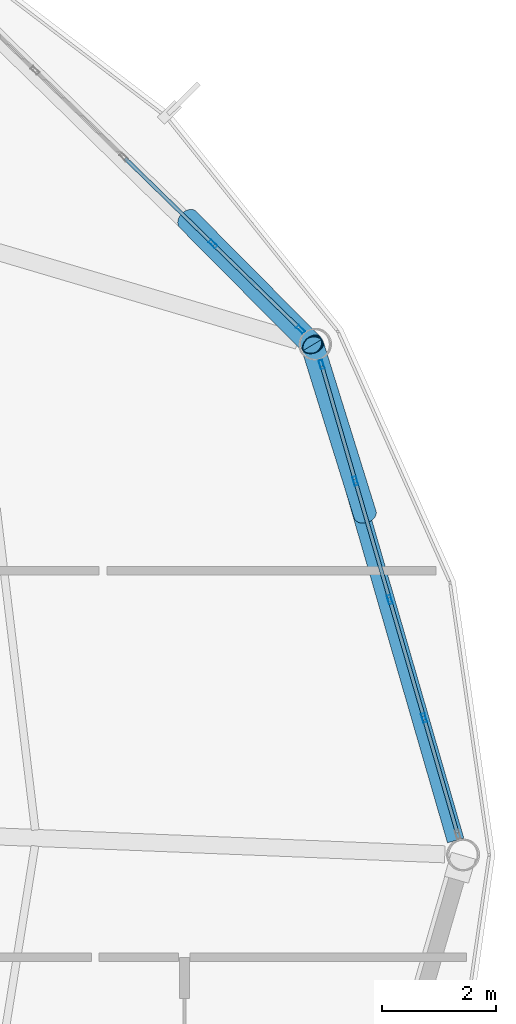
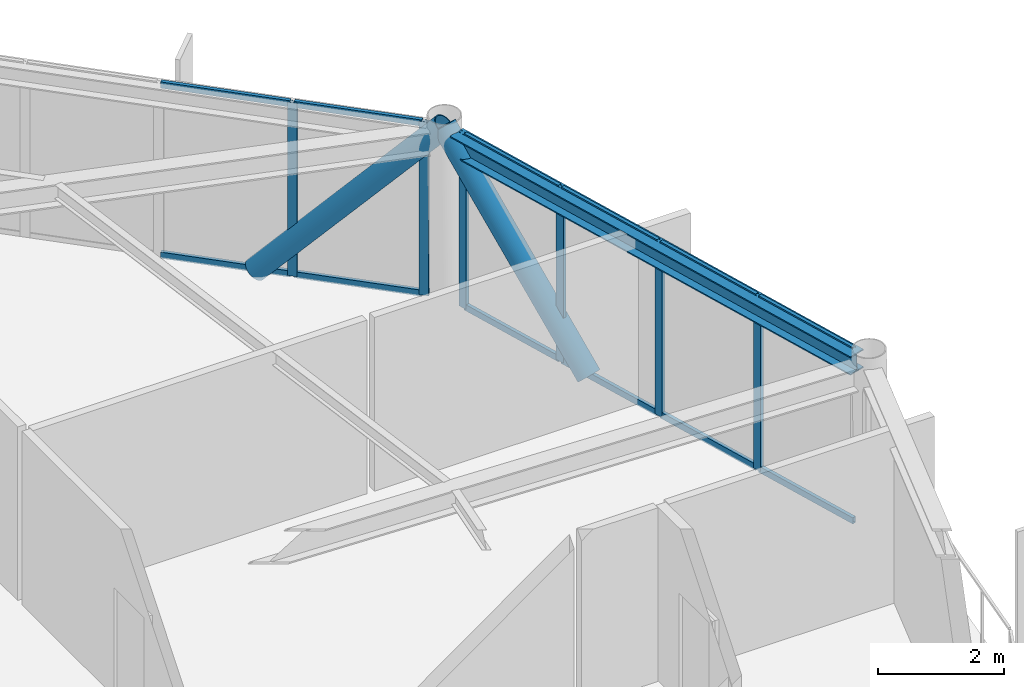
# One storey, part 17 of 27: 20 members, 1 beam, 2 elements without a shape of their own.
"""IFC4 building model written with IfcOpenShell, lengths in metres."""

from ifc_helpers import new_model, si_unit, direction, frame, origin, origin_2d, place, context, subcontext, project, spatial, hollow_rectangle, hollow_circle, i_section, extrude, material, layer, layer_set, material_profile, profile_set, type_object, element, aggregate, save


model = new_model("IFC4")

# Units and contexts
model_context = context("Model", 3, precision=1e-05, world=origin(), true_north=direction((0.0, 1.0)))
body_context = subcontext(model_context, "Body", "Model", "MODEL_VIEW")
ifc_project = project(units=[si_unit("LENGTHUNIT", "METRE"), si_unit("AREAUNIT", "SQUARE_METRE"), si_unit("VOLUMEUNIT", "CUBIC_METRE"), si_unit("PLANEANGLEUNIT", "RADIAN"), si_unit("MASSUNIT", "GRAM", prefix="KILO")], contexts=[model_context])

# Site, building, storey
site_placement = place(None, origin())
site = spatial("IfcSite", under=ifc_project, at=site_placement, CompositionType="ELEMENT")
building_placement = place(site_placement, origin())
building = spatial("IfcBuilding", under=site, at=building_placement, Name="Varnakorn Sky Granary", CompositionType="ELEMENT")
storey_placement = place(building_placement, frame((0.0, 0.0, 245.39990234375)))
storey = spatial("IfcBuildingStorey", under=building, at=storey_placement, Name="L62", CompositionType="ELEMENT", Elevation=245.39990234375)

# Beam
ifc_material_1 = material(Name="Steel S355JR", Category="steel")
ifc_material_profile_1 = material_profile(ifc_material_1, i_section(OverallWidth=0.300048828125, OverallDepth=0.360107421875, WebThickness=0.012451171875, FlangeThickness=0.0224609375, at=origin_2d()), Name="HE 360 B")
ifc_profile_set_1 = profile_set([ifc_material_profile_1], Name="Steel S355JR")
beam_type = type_object("IfcBeamType", Name="BM-SPD-Z5", PredefinedType="SPANDREL", material=ifc_profile_set_1)
beam_placement = place(storey_placement, frame((23.271484375, 0.254150390625, 3.18017578125), z_axis=(-0.277912020953, 0.96060653163, 0.0), x_axis=(-0.96060653163, -0.277912020953, 0.0)))
element("IfcBeam", 1, at=beam_placement, inside=storey, type_object=beam_type, Name="Perimeter Spandrel Ring Beam RB01 L62", PredefinedType="SPANDREL", context=body_context, shape_type="SweptSolid", body=[
    extrude(i_section(OverallWidth=0.300048828125, OverallDepth=0.360107421875, WebThickness=0.012451171875, FlangeThickness=0.0224609375, at=origin_2d()), origin(), (0.0, 0.0, 1.0), 8.8076171875),
])

# Curtain wall, members
ifc_material_2 = material(Name="Anodised Bronze Aluminium Alloy 6063-T6", Category="aluminium")
ifc_layer = layer(ifc_material_2, 0.159912109375, Name="Anodised Bronze Aluminium Alloy 6063-T6")
ifc_layer_set = layer_set([ifc_layer], Name="Anodised Bronze Aluminium Alloy 6063-T6")
curtain_wall_type = type_object("IfcCurtainWallType", Name="CW-OFF-1", PredefinedType="USERDEFINED", material=ifc_layer_set)
curtain_wall_1_placement = place(storey_placement, origin())
curtain_wall_1 = element("IfcCurtainWall", 2, at=curtain_wall_1_placement, inside=storey, type_object=curtain_wall_type, Name="Unitised Curtain Wall CW6 CW-L62-B01", ObjectType="CURTAIN WALL", PredefinedType="USERDEFINED")
ifc_material_profile_2 = material_profile(ifc_material_2, hollow_rectangle(XDim=0.06494140625, YDim=0.159912109375, WallThickness=0.00341796875, at=origin_2d()), Name="ALU MULL 65x160")
ifc_profile_set_2 = profile_set([ifc_material_profile_2], Name="Anodised Bronze Aluminium Alloy 6063-T6")
member_type_1 = type_object("IfcMemberType", Name="CW-OFF-1-MULL", PredefinedType="MULLION", material=ifc_profile_set_2)
member_1_placement = place(storey_placement, frame((20.91259765625, 8.628173828125, 0.0), z_axis=(0.0, 0.0, 1.0), x_axis=(0.960483292406, 0.278337645691, 0.0)))
member_1 = element("IfcMember", 3, at=member_1_placement, type_object=member_type_1, Name="CW6 mullion 1", PredefinedType="MULLION", context=body_context, shape_type="SweptSolid", body=[
    extrude(hollow_rectangle(XDim=0.06494140625, YDim=0.159912109375, WallThickness=0.00341796875, at=origin_2d()), origin(), (0.0, 0.0, 1.0), 3.360107421875),
])
member_2_placement = place(storey_placement, frame((21.50732421875, 6.576171875, 0.0), z_axis=(0.0, 0.0, 1.0), x_axis=(0.960483292406, 0.278337645691, 0.0)))
member_2 = element("IfcMember", 4, at=member_2_placement, type_object=member_type_1, Name="CW6 mullion 2", PredefinedType="MULLION", context=body_context, shape_type="SweptSolid", body=[
    extrude(hollow_rectangle(XDim=0.06494140625, YDim=0.159912109375, WallThickness=0.00341796875, at=origin_2d()), origin(), (0.0, 0.0, 1.0), 3.360107421875),
])
member_3_placement = place(storey_placement, frame((22.111083984375, 4.49267578125, 0.0), z_axis=(0.0, 0.0, 1.0), x_axis=(0.960483292406, 0.278337645691, 0.0)))
member_3 = element("IfcMember", 5, at=member_3_placement, type_object=member_type_1, Name="CW6 mullion 3", PredefinedType="MULLION", context=body_context, shape_type="SweptSolid", body=[
    extrude(hollow_rectangle(XDim=0.06494140625, YDim=0.159912109375, WallThickness=0.00341796875, at=origin_2d()), origin(), (0.0, 0.0, 1.0), 3.360107421875),
])
member_4_placement = place(storey_placement, frame((22.71484375, 2.409423828125, 0.0), z_axis=(0.0, 0.0, 1.0), x_axis=(0.960483292406, 0.278337645691, 0.0)))
member_4 = element("IfcMember", 6, at=member_4_placement, type_object=member_type_1, Name="CW6 mullion 4", PredefinedType="MULLION", context=body_context, shape_type="SweptSolid", body=[
    extrude(hollow_rectangle(XDim=0.06494140625, YDim=0.159912109375, WallThickness=0.00341796875, at=origin_2d()), origin(), (0.0, 0.0, 1.0), 3.360107421875),
])

curtain_wall_2_placement = place(storey_placement, origin())
curtain_wall_2 = element("IfcCurtainWall", 7, at=curtain_wall_2_placement, inside=storey, type_object=curtain_wall_type, Name="Unitised Curtain Wall CW6 CW-L62-B02", ObjectType="CURTAIN WALL", PredefinedType="USERDEFINED")
member_5_placement = place(storey_placement, frame((19.001220703125, 10.74853515625, 0.0), z_axis=(0.0, 0.0, 1.0), x_axis=(0.698180615076, 0.715921663823, 0.0)))
member_5 = element("IfcMember", 8, at=member_5_placement, type_object=member_type_1, Name="CW6 mullion 4", PredefinedType="MULLION", context=body_context, shape_type="SweptSolid", body=[
    extrude(hollow_rectangle(XDim=0.06494140625, YDim=0.159912109375, WallThickness=0.00341796875, at=origin_2d()), origin(), (0.0, 0.0, 1.0), 3.360107421875),
])
member_6_placement = place(storey_placement, frame((20.542724609375, 9.2451171875, 0.0), z_axis=(0.0, 0.0, 1.0), x_axis=(0.698180615076, 0.715921663823, 0.0)))
member_6 = element("IfcMember", 9, at=member_6_placement, type_object=member_type_1, Name="CW6 mullion 5", PredefinedType="MULLION", context=body_context, shape_type="SweptSolid", body=[
    extrude(hollow_rectangle(XDim=0.06494140625, YDim=0.159912109375, WallThickness=0.00341796875, at=origin_2d()), origin(), (0.0, 0.0, 1.0), 3.360107421875),
])

# Member
ifc_material_profile_3 = material_profile(ifc_material_2, hollow_rectangle(XDim=0.06494140625, YDim=0.1201171875, WallThickness=0.00341796875, at=origin_2d()), Name="ALU TRAN 65x120")
ifc_profile_set_3 = profile_set([ifc_material_profile_3], Name="Anodised Bronze Aluminium Alloy 6063-T6")
member_type_2 = type_object("IfcMemberType", Name="CW-OFF-1-TRAN", PredefinedType="USERDEFINED", material=ifc_profile_set_3)
member_7_placement = place(storey_placement, frame((20.921630859375, 8.596923828125, 0.03271484375), z_axis=(0.27836138489, -0.960476412725, 0.0), x_axis=(0.960476412725, 0.27836138489, 0.0)))
member_7 = element("IfcMember", 10, at=member_7_placement, type_object=member_type_2, Name="CW6 transom 1.1", ObjectType="TRANSOM", PredefinedType="USERDEFINED", context=body_context, shape_type="SweptSolid", body=[
    extrude(hollow_rectangle(XDim=0.06494140625, YDim=0.1201171875, WallThickness=0.00341796875, at=origin_2d()), origin(), (0.0, 0.0, 1.0), 2.071533203125),
])

member_8_placement = place(storey_placement, frame((20.921630859375, 8.596923828125, 3.32763671875), z_axis=(0.27836138489, -0.960476412725, 0.0), x_axis=(0.960476412725, 0.27836138489, 0.0)))
member_8 = element("IfcMember", 11, at=member_8_placement, type_object=member_type_2, Name="CW6 transom 1.2", ObjectType="TRANSOM", PredefinedType="USERDEFINED", context=body_context, shape_type="SweptSolid", body=[
    extrude(hollow_rectangle(XDim=0.06494140625, YDim=0.1201171875, WallThickness=0.00341796875, at=origin_2d()), origin(), (0.0, 0.0, 1.0), 2.071533203125),
])

member_9_placement = place(storey_placement, frame((21.516357421875, 6.544921875, 0.03271484375), z_axis=(0.278351061992, -0.960479404406, 0.0), x_axis=(0.960479404406, 0.278351061992, 0.0)))
member_9 = element("IfcMember", 12, at=member_9_placement, type_object=member_type_2, Name="CW6 transom 2.1", ObjectType="TRANSOM", PredefinedType="USERDEFINED", context=body_context, shape_type="SweptSolid", body=[
    extrude(hollow_rectangle(XDim=0.06494140625, YDim=0.1201171875, WallThickness=0.00341796875, at=origin_2d()), origin(), (0.0, 0.0, 1.0), 2.104248046875),
])

member_10_placement = place(storey_placement, frame((21.516357421875, 6.544921875, 3.32763671875), z_axis=(0.278351061992, -0.960479404406, 0.0), x_axis=(0.960479404406, 0.278351061992, 0.0)))
member_10 = element("IfcMember", 13, at=member_10_placement, type_object=member_type_2, Name="CW6 transom 2.2", ObjectType="TRANSOM", PredefinedType="USERDEFINED", context=body_context, shape_type="SweptSolid", body=[
    extrude(hollow_rectangle(XDim=0.06494140625, YDim=0.1201171875, WallThickness=0.00341796875, at=origin_2d()), origin(), (0.0, 0.0, 1.0), 2.104248046875),
])

member_11_placement = place(storey_placement, frame((22.1201171875, 4.46142578125, 0.03271484375), z_axis=(0.278382085431, -0.960470413137, 0.0), x_axis=(0.960470413137, 0.278382085431, 0.0)))
member_11 = element("IfcMember", 14, at=member_11_placement, type_object=member_type_2, Name="CW6 transom 3.1", ObjectType="TRANSOM", PredefinedType="USERDEFINED", context=body_context, shape_type="SweptSolid", body=[
    extrude(hollow_rectangle(XDim=0.06494140625, YDim=0.1201171875, WallThickness=0.00341796875, at=origin_2d()), origin(), (0.0, 0.0, 1.0), 2.10400390625),
])

member_12_placement = place(storey_placement, frame((22.1201171875, 4.46142578125, 3.32763671875), z_axis=(0.278382085431, -0.960470413137, 0.0), x_axis=(0.960470413137, 0.278382085431, 0.0)))
member_12 = element("IfcMember", 15, at=member_12_placement, type_object=member_type_2, Name="CW6 transom 3.2", ObjectType="TRANSOM", PredefinedType="USERDEFINED", context=body_context, shape_type="SweptSolid", body=[
    extrude(hollow_rectangle(XDim=0.06494140625, YDim=0.1201171875, WallThickness=0.00341796875, at=origin_2d()), origin(), (0.0, 0.0, 1.0), 2.10400390625),
])

member_13_placement = place(storey_placement, frame((22.723876953125, 2.378173828125, 0.03271484375), z_axis=(0.278252661279, -0.960507915892, 0.0), x_axis=(0.960507915892, 0.278252661279, 0.0)))
member_13 = element("IfcMember", 16, at=member_13_placement, type_object=member_type_2, Name="CW6 transom 4.1", ObjectType="TRANSOM", PredefinedType="USERDEFINED", context=body_context, shape_type="SweptSolid", body=[
    extrude(hollow_rectangle(XDim=0.06494140625, YDim=0.1201171875, WallThickness=0.00341796875, at=origin_2d()), origin(), (0.0, 0.0, 1.0), 2.071533203125),
])

member_14_placement = place(storey_placement, frame((22.723876953125, 2.378173828125, 3.32763671875), z_axis=(0.278252661279, -0.960507915892, 0.0), x_axis=(0.960507915892, 0.278252661279, 0.0)))
member_14 = element("IfcMember", 17, at=member_14_placement, type_object=member_type_2, Name="CW6 transom 4.2", ObjectType="TRANSOM", PredefinedType="USERDEFINED", context=body_context, shape_type="SweptSolid", body=[
    extrude(hollow_rectangle(XDim=0.06494140625, YDim=0.1201171875, WallThickness=0.00341796875, at=origin_2d()), origin(), (0.0, 0.0, 1.0), 2.071533203125),
])

aggregate(curtain_wall_1, [member_1, member_2, member_3, member_4, member_7, member_8, member_9, member_10, member_11, member_12, member_13, member_14])

member_15_placement = place(storey_placement, frame((17.459716796875, 12.251708984375, 0.03271484375), z_axis=(0.715972805246, -0.698128170287, 0.0), x_axis=(0.698128170287, 0.715972805246, 0.0)))
member_15 = element("IfcMember", 18, at=member_15_placement, type_object=member_type_2, Name="CW6 transom 3.1", ObjectType="TRANSOM", PredefinedType="USERDEFINED", context=body_context, shape_type="SweptSolid", body=[
    extrude(hollow_rectangle(XDim=0.06494140625, YDim=0.1201171875, WallThickness=0.00341796875, at=origin_2d()), origin(), (0.0, 0.0, 1.0), 2.12060546875),
])

member_16_placement = place(storey_placement, frame((17.459716796875, 12.251708984375, 3.32763671875), z_axis=(0.715972805246, -0.698128170287, 0.0), x_axis=(0.698128170287, 0.715972805246, 0.0)))
member_16 = element("IfcMember", 19, at=member_16_placement, type_object=member_type_2, Name="CW6 transom 3.2", ObjectType="TRANSOM", PredefinedType="USERDEFINED", context=body_context, shape_type="SweptSolid", body=[
    extrude(hollow_rectangle(XDim=0.06494140625, YDim=0.1201171875, WallThickness=0.00341796875, at=origin_2d()), origin(), (0.0, 0.0, 1.0), 2.12060546875),
])

member_17_placement = place(storey_placement, frame((19.024658203125, 10.725830078125, 0.03271484375), z_axis=(0.715878866962, -0.698224496733, 0.0), x_axis=(0.698224496733, 0.715878866962, 0.0)))
member_17 = element("IfcMember", 20, at=member_17_placement, type_object=member_type_2, Name="CW6 transom 4.1", ObjectType="TRANSOM", PredefinedType="USERDEFINED", context=body_context, shape_type="SweptSolid", body=[
    extrude(hollow_rectangle(XDim=0.06494140625, YDim=0.1201171875, WallThickness=0.00341796875, at=origin_2d()), origin(), (0.0, 0.0, 1.0), 2.088134765625),
])

member_18_placement = place(storey_placement, frame((19.024658203125, 10.725830078125, 3.32763671875), z_axis=(0.715878866962, -0.698224496733, 0.0), x_axis=(0.698224496733, 0.715878866962, 0.0)))
member_18 = element("IfcMember", 21, at=member_18_placement, type_object=member_type_2, Name="CW6 transom 4.2", ObjectType="TRANSOM", PredefinedType="USERDEFINED", context=body_context, shape_type="SweptSolid", body=[
    extrude(hollow_rectangle(XDim=0.06494140625, YDim=0.1201171875, WallThickness=0.00341796875, at=origin_2d()), origin(), (0.0, 0.0, 1.0), 2.088134765625),
])

aggregate(curtain_wall_2, [member_5, member_6, member_15, member_16, member_17, member_18])

# Members
ifc_material_3 = material(Name="Steel S460M", Category="steel")
ifc_material_profile_4 = material_profile(ifc_material_3, hollow_circle(Radius=0.203125, WallThickness=0.01611328125, at=origin_2d()), Name="CHS 406.4x16")
ifc_profile_set_4 = profile_set([ifc_material_profile_4], Name="Steel S460M")
member_type_3 = type_object("IfcMemberType", Name="MB-DIAG-T4", PredefinedType="BRACE", material=ifc_profile_set_4)
member_19_placement = place(storey_placement, frame((21.677001953125, 5.990234375, 0.0), z_axis=(-0.20212826746, 0.649675182108, 0.732848088792), x_axis=(-0.954853816416, -0.29707606648, 0.0)))
element("IfcMember", 22, at=member_19_placement, inside=storey, type_object=member_type_3, Name="Perimeter CHS Diagrid Brace DG01 L62", PredefinedType="BRACE", context=body_context, shape_type="SweptSolid", body=[
    extrude(hollow_circle(Radius=0.203125, WallThickness=0.01611328125, at=origin_2d()), origin(), (0.0, 0.0, 1.0), 4.5849609375),
])
member_20_placement = place(storey_placement, frame((18.560791015625, 11.177978515625, 0.0), z_axis=(0.478192011907, -0.482457774725, 0.733871170816), x_axis=(0.71023968474, 0.703959935096, 0.0)))
element("IfcMember", 23, at=member_20_placement, inside=storey, type_object=member_type_3, Name="Perimeter CHS Diagrid Brace DG02 L62", PredefinedType="BRACE", context=body_context, shape_type="SweptSolid", body=[
    extrude(hollow_circle(Radius=0.203125, WallThickness=0.01611328125, at=origin_2d()), origin(), (0.0, 0.0, 1.0), 4.57861328125),
])

save(model, "model.ifc")
